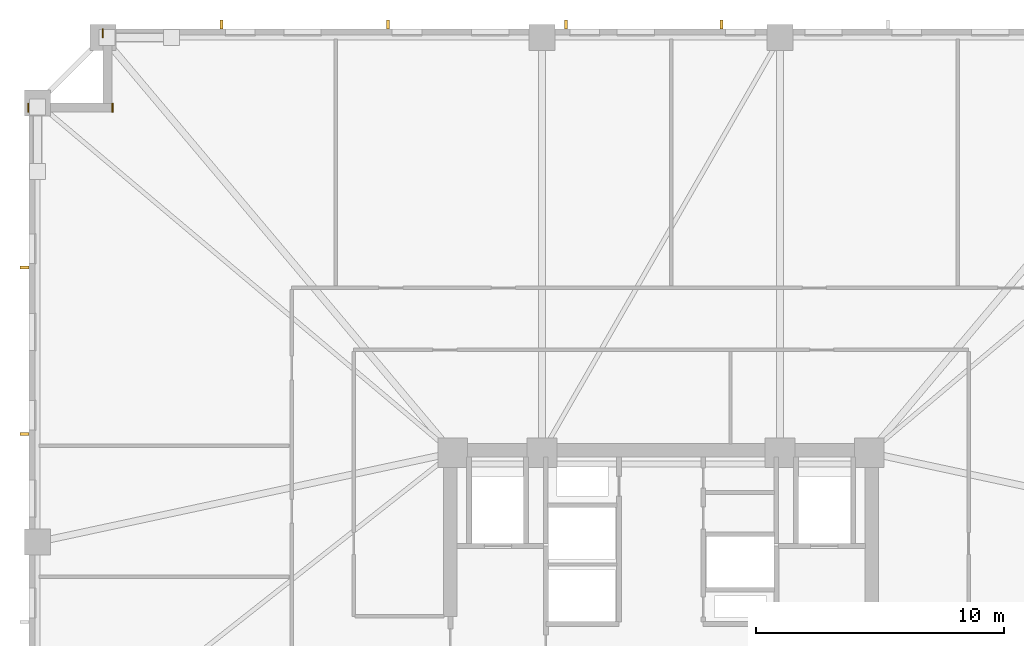
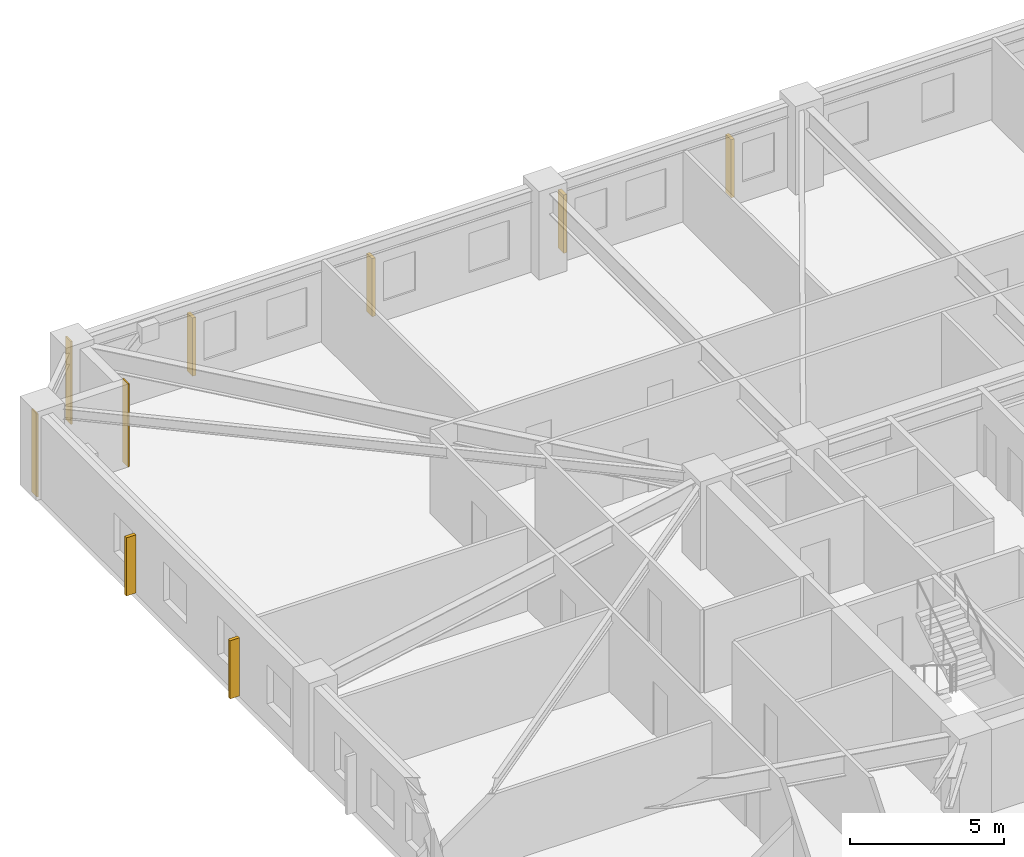
# One storey, part 10 of 11: 6 shading devices, 3 coverings.
"""IFC4 building model written with IfcOpenShell, lengths in metres."""

from ifc_helpers import new_model, si_unit, direction, frame, frame_2d, origin, origin_2d, place, context, subcontext, project, spatial, rectangle, extrude, material, layer, layer_set, type_object, element, save


model = new_model("IFC4")

# Units and contexts
model_context = context("Model", 3, precision=1e-05, world=origin(), true_north=direction((0.0, 1.0)))
body_context = subcontext(model_context, "Body", "Model", "MODEL_VIEW")
ifc_project = project(units=[si_unit("LENGTHUNIT", "METRE"), si_unit("AREAUNIT", "SQUARE_METRE"), si_unit("VOLUMEUNIT", "CUBIC_METRE"), si_unit("PLANEANGLEUNIT", "RADIAN"), si_unit("MASSUNIT", "GRAM", prefix="KILO")], contexts=[model_context])

# Site, building, storey
site_placement = place(None, origin())
site = spatial("IfcSite", under=ifc_project, at=site_placement, CompositionType="ELEMENT")
building_placement = place(site_placement, origin())
building = spatial("IfcBuilding", under=site, at=building_placement, Name="Cairnveth Concourse Tower", CompositionType="ELEMENT")
storey_placement = place(building_placement, frame((0.0, 0.0, 55.0)))
storey = spatial("IfcBuildingStorey", under=building, at=storey_placement, Name="L14", CompositionType="ELEMENT", Elevation=55.0)

# Coverings
ifc_material_1 = material(Name="Dressed Melbourne Bluestone Cladding", Category="masonry")
ifc_layer = layer(ifc_material_1, 0.050048828125)
ifc_layer_set = layer_set([ifc_layer], Name="Dressed Melbourne Bluestone Cladding")
covering_type = type_object("IfcCoveringType", Name="DRESSED BLUESTONE PLINTH CLADDING 50", PredefinedType="CLADDING", material=ifc_layer_set)
for number, where, z_axis, x_axis, name in (
    (1, (26.47998046875, 61.139892578125, 0.0), (0.0, 0.0, 1.0), (0.0, 1.0, 0.0), "Melbourne Bluestone Corner Quoin L14-174"),
    (2, (29.8798828125, 61.139892578125, 0.0), (0.0, 0.0, 1.0), (0.0, 1.0, 0.0), "Melbourne Bluestone Corner Quoin L14-175"),
    (3, (29.47998046875, 64.139892578125, 0.0), (0.0, 0.0, 1.0), (0.0, 1.0, 0.0), "Melbourne Bluestone Corner Quoin L14-176"),
):
    element("IfcCovering", number, at=place(storey_placement, frame(where, z_axis=z_axis, x_axis=x_axis)), inside=storey, type_object=covering_type, Name=name, PredefinedType="CLADDING", context=body_context, shape_type="SweptSolid", body=[
        extrude(rectangle(XDim=0.360107421875, YDim=0.050048828125, at=frame_2d((0.18017578125, 0.0))), origin(), (0.0, 0.0, 1.0), 3.280029296875),
    ])

# Shading devices
ifc_material_2 = material(Name="Architectural Bronze Anodised Aluminium 6063-T6", Category="aluminium")
shading_device_type = type_object("IfcShadingDeviceType", Name="GOTHIC BRONZE VERTICAL LANCET FIN", PredefinedType="USERDEFINED", material=ifc_material_2)
for number, where, z_axis, x_axis, name in (
    (4, (26.324951171875, 48.151611328125, 0.02978515625), (0.0, 0.0, 1.0), (0.0, 1.0, 0.0), "Gothic Bronze Vertical Fin L14-6-9"),
    (5, (26.324951171875, 54.871826171875, 0.02978515625), (0.0, 0.0, 1.0), (0.0, 1.0, 0.0), "Gothic Bronze Vertical Fin L14-6-11"),
    (6, (34.27001953125, 64.675048828125, 0.02978515625), (0.0, 0.0, 1.0), (1.0, 0.0, 0.0), "Gothic Bronze Vertical Fin L14-9-1"),
    (7, (40.990478515625, 64.675048828125, 0.02978515625), (0.0, 0.0, 1.0), (1.0, 0.0, 0.0), "Gothic Bronze Vertical Fin L14-9-3"),
    (8, (48.160888671875, 64.675048828125, 0.02978515625), (0.0, 0.0, 1.0), (1.0, 0.0, 0.0), "Gothic Bronze Vertical Fin L14-9-5"),
    (9, (54.43115234375, 64.675048828125, 0.02978515625), (0.0, 0.0, 1.0), (1.0, 0.0, 0.0), "Gothic Bronze Vertical Fin L14-9-7"),
):
    element("IfcShadingDevice", number, at=place(storey_placement, frame(where, z_axis=z_axis, x_axis=x_axis)), inside=storey, type_object=shading_device_type, Name=name, ObjectType="VERTICAL FIN", PredefinedType="USERDEFINED", context=body_context, shape_type="SweptSolid", body=[
        extrude(rectangle(XDim=0.1201171875, YDim=0.360107421875, at=origin_2d()), origin(), (0.0, 0.0, 1.0), 2.303955078125),
    ])

save(model, "model.ifc")
